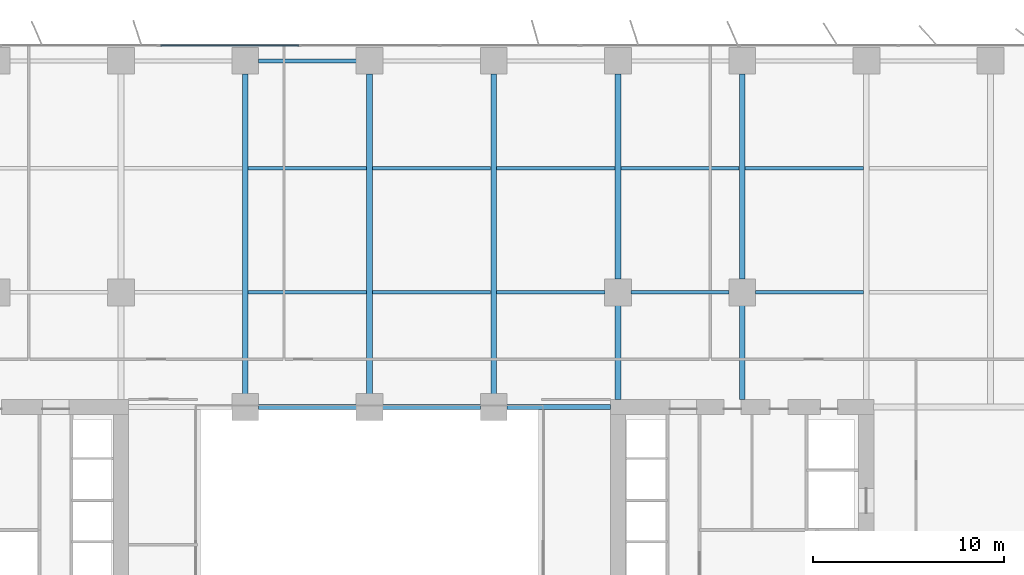
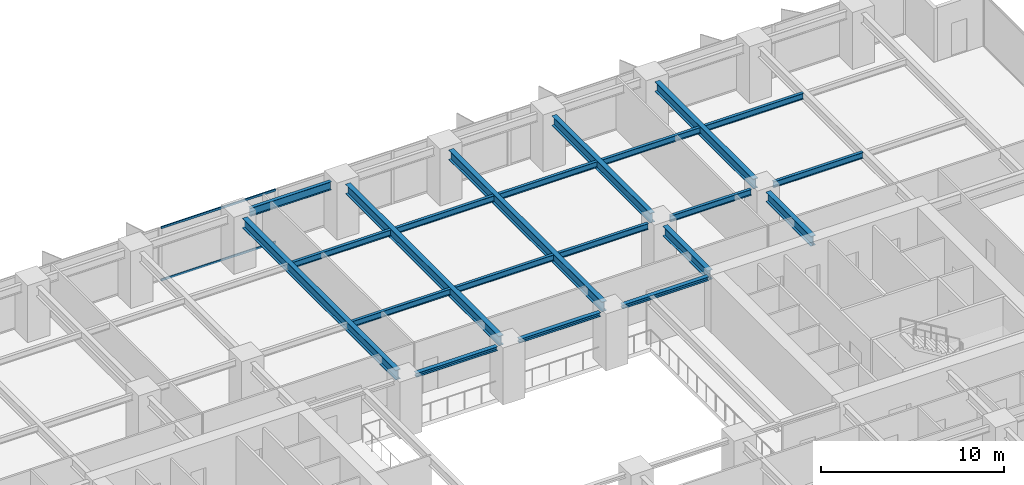
# One storey, part 8 of 20: 21 beams, 2 members, 1 element without a shape of its own.
"""IFC4 building model written with IfcOpenShell, lengths in metres."""

from ifc_helpers import new_model, si_unit, direction, frame, origin, origin_2d, place, context, subcontext, project, spatial, rectangle, i_section, extrude, material, layer, layer_set, material_profile, profile_set, type_object, element, aggregate, save


model = new_model("IFC4")

# Units and contexts
model_context = context("Model", 3, precision=1e-05, world=origin(), true_north=direction((0.0, 1.0)))
body_context = subcontext(model_context, "Body", "Model", "MODEL_VIEW")
ifc_project = project(units=[si_unit("LENGTHUNIT", "METRE"), si_unit("AREAUNIT", "SQUARE_METRE"), si_unit("VOLUMEUNIT", "CUBIC_METRE"), si_unit("PLANEANGLEUNIT", "RADIAN"), si_unit("MASSUNIT", "GRAM", prefix="KILO")], contexts=[model_context])

# Site, building, storey
site_placement = place(None, origin())
site = spatial("IfcSite", under=ifc_project, at=site_placement, CompositionType="ELEMENT")
building_placement = place(site_placement, origin())
building = spatial("IfcBuilding", under=site, at=building_placement, Name="Putna Gate Headquarters", CompositionType="ELEMENT")
storey_placement = place(building_placement, frame((0.0, 0.0, 62.0)))
storey = spatial("IfcBuildingStorey", under=building, at=storey_placement, Name="L14", CompositionType="ELEMENT", Elevation=62.0)

# Beams
ifc_material_1 = material(Name="Steel S355J2", Category="steel")
ifc_material_profile_1 = material_profile(ifc_material_1, i_section(OverallWidth=0.260009765625, OverallDepth=0.260009765625, WebThickness=0.010009765625, FlangeThickness=0.017578125, at=origin_2d()), Name="Steel S355J2")
ifc_profile_set_1 = profile_set([ifc_material_profile_1], Name="Steel S355J2")
beam_type_1 = type_object("IfcBeamType", Name="BM-ATRIUM-HEB260", PredefinedType="BEAM", material=ifc_profile_set_1)
for number, where, z_axis, x_axis, name in (
    (1, (33.18798828125, 33.0, 3.419921875), (1.0, 0.0, 0.0), (0.0, 1.0, 0.0), "L14 Atrium Edge Beam AN2"),
    (2, (39.68798828125, 33.0, 3.419921875), (1.0, 0.0, 0.0), (0.0, 1.0, 0.0), "L14 Atrium Edge Beam AN3"),
):
    element("IfcBeam", number, at=place(storey_placement, frame(where, z_axis=z_axis, x_axis=x_axis)), inside=storey, type_object=beam_type_1, Name=name, PredefinedType="BEAM", context=body_context, shape_type="SweptSolid", body=[
        extrude(i_section(OverallWidth=0.260009765625, OverallDepth=0.260009765625, WebThickness=0.010009765625, FlangeThickness=0.017578125, at=origin_2d()), origin(), (0.0, 0.0, 1.0), 5.1240234375),
    ])
beam_1_placement = place(storey_placement, frame((46.18798828125, 33.0, 3.419921875), z_axis=(1.0, 0.0, 0.0), x_axis=(0.0, 1.0, 0.0)))
element("IfcBeam", 3, at=beam_1_placement, inside=storey, type_object=beam_type_1, Name="L14 Atrium Edge Beam AN4", PredefinedType="BEAM", context=body_context, shape_type="SweptSolid", body=[
    extrude(i_section(OverallWidth=0.260009765625, OverallDepth=0.260009765625, WebThickness=0.010009765625, FlangeThickness=0.017578125, at=origin_2d()), origin(), (0.0, 0.0, 1.0), 5.427001953125),
])
ifc_material_profile_2 = material_profile(ifc_material_1, i_section(OverallWidth=0.300048828125, OverallDepth=0.64990234375, WebThickness=0.01611328125, FlangeThickness=0.031005859375, at=origin_2d()), Name="Steel S355J2")
ifc_profile_set_2 = profile_set([ifc_material_profile_2], Name="Steel S355J2")
beam_type_2 = type_object("IfcBeamType", Name="BM-GIRD-Z1-HEB650", PredefinedType="USERDEFINED", material=ifc_profile_set_2)
for number, where, z_axis, x_axis, name in (
    (4, (32.5, 33.68798828125, 3.22509765625), (0.0, 1.0, 0.0), (-1.0, 0.0, 0.0), "L14 North Primary Girder X32"),
    (5, (39.0, 33.68798828125, 3.22509765625), (0.0, 1.0, 0.0), (-1.0, 0.0, 0.0), "L14 North Primary Girder X39"),
    (6, (45.5, 33.68798828125, 3.22509765625), (0.0, 1.0, 0.0), (-1.0, 0.0, 0.0), "L14 North Primary Girder X45"),
):
    element("IfcBeam", number, at=place(storey_placement, frame(where, z_axis=z_axis, x_axis=x_axis)), inside=storey, type_object=beam_type_2, Name=name, ObjectType="GIRDER", PredefinedType="USERDEFINED", context=body_context, shape_type="SweptSolid", body=[
        extrude(i_section(OverallWidth=0.300048828125, OverallDepth=0.64990234375, WebThickness=0.01611328125, FlangeThickness=0.031005859375, at=origin_2d()), origin(), (0.0, 0.0, 1.0), 16.743896484375),
    ])
beam_2_placement = place(storey_placement, frame((52.0, 33.385009765625, 3.22509765625), z_axis=(0.0, 1.0, 0.0), x_axis=(-1.0, 0.0, 0.0)))
element("IfcBeam", 7, at=beam_2_placement, inside=storey, type_object=beam_type_2, Name="L14 North Primary Girder X52-1", ObjectType="GIRDER", PredefinedType="USERDEFINED", context=body_context, shape_type="SweptSolid", body=[
    extrude(i_section(OverallWidth=0.300048828125, OverallDepth=0.64990234375, WebThickness=0.01611328125, FlangeThickness=0.031005859375, at=origin_2d()), origin(), (0.0, 0.0, 1.0), 4.927001953125),
])
beam_3_placement = place(storey_placement, frame((52.0, 39.68798828125, 3.22509765625), z_axis=(0.0, 1.0, 0.0), x_axis=(-1.0, 0.0, 0.0)))
element("IfcBeam", 8, at=beam_3_placement, inside=storey, type_object=beam_type_2, Name="L14 North Primary Girder X52-2", ObjectType="GIRDER", PredefinedType="USERDEFINED", context=body_context, shape_type="SweptSolid", body=[
    extrude(i_section(OverallWidth=0.300048828125, OverallDepth=0.64990234375, WebThickness=0.01611328125, FlangeThickness=0.031005859375, at=origin_2d()), origin(), (0.0, 0.0, 1.0), 10.743896484375),
])
beam_4_placement = place(storey_placement, frame((58.5, 33.385009765625, 3.22509765625), z_axis=(0.0, 1.0, 0.0), x_axis=(-1.0, 0.0, 0.0)))
element("IfcBeam", 9, at=beam_4_placement, inside=storey, type_object=beam_type_2, Name="L14 North Primary Girder X58-1", ObjectType="GIRDER", PredefinedType="USERDEFINED", context=body_context, shape_type="SweptSolid", body=[
    extrude(i_section(OverallWidth=0.300048828125, OverallDepth=0.64990234375, WebThickness=0.01611328125, FlangeThickness=0.031005859375, at=origin_2d()), origin(), (0.0, 0.0, 1.0), 4.927001953125),
])
beam_5_placement = place(storey_placement, frame((58.5, 39.68798828125, 3.22509765625), z_axis=(0.0, 1.0, 0.0), x_axis=(-1.0, 0.0, 0.0)))
element("IfcBeam", 10, at=beam_5_placement, inside=storey, type_object=beam_type_2, Name="L14 North Primary Girder X58-2", ObjectType="GIRDER", PredefinedType="USERDEFINED", context=body_context, shape_type="SweptSolid", body=[
    extrude(i_section(OverallWidth=0.300048828125, OverallDepth=0.64990234375, WebThickness=0.01611328125, FlangeThickness=0.031005859375, at=origin_2d()), origin(), (0.0, 0.0, 1.0), 10.743896484375),
])
ifc_material_profile_3 = material_profile(ifc_material_1, i_section(OverallWidth=0.179931640625, OverallDepth=0.39990234375, WebThickness=0.008544921875, FlangeThickness=0.013427734375, at=origin_2d()), Name="Steel S355J2")
ifc_profile_set_3 = profile_set([ifc_material_profile_3], Name="Steel S355J2")
beam_type_3 = type_object("IfcBeamType", Name="BM-SEC-Z1-IPE400", PredefinedType="BEAM", material=ifc_profile_set_3)
for number, where, z_axis, x_axis, name in (
    (11, (32.654052734375, 39.0, 3.35009765625), (1.0, 0.0, 0.0), (0.0, 1.0, 0.0), "L14 North Secondary Beam 5"),
    (12, (32.654052734375, 45.5, 3.35009765625), (1.0, 0.0, 0.0), (0.0, 1.0, 0.0), "L14 North Secondary Beam 5"),
    (13, (39.154052734375, 39.0, 3.35009765625), (1.0, 0.0, 0.0), (0.0, 1.0, 0.0), "L14 North Secondary Beam 6"),
    (14, (39.154052734375, 45.5, 3.35009765625), (1.0, 0.0, 0.0), (0.0, 1.0, 0.0), "L14 North Secondary Beam 6"),
):
    element("IfcBeam", number, at=place(storey_placement, frame(where, z_axis=z_axis, x_axis=x_axis)), inside=storey, type_object=beam_type_3, Name=name, PredefinedType="BEAM", context=body_context, shape_type="SweptSolid", body=[
        extrude(i_section(OverallWidth=0.179931640625, OverallDepth=0.39990234375, WebThickness=0.008544921875, FlangeThickness=0.013427734375, at=origin_2d()), origin(), (0.0, 0.0, 1.0), 6.19189453125),
    ])
beam_6_placement = place(storey_placement, frame((45.654052734375, 39.0, 3.35009765625), z_axis=(1.0, 0.0, 0.0), x_axis=(0.0, 1.0, 0.0)))
element("IfcBeam", 15, at=beam_6_placement, inside=storey, type_object=beam_type_3, Name="L14 North Secondary Beam 7", PredefinedType="BEAM", context=body_context, shape_type="SweptSolid", body=[
    extrude(i_section(OverallWidth=0.179931640625, OverallDepth=0.39990234375, WebThickness=0.008544921875, FlangeThickness=0.013427734375, at=origin_2d()), origin(), (0.0, 0.0, 1.0), 5.657958984375),
])
beam_7_placement = place(storey_placement, frame((45.654052734375, 45.5, 3.35009765625), z_axis=(1.0, 0.0, 0.0), x_axis=(0.0, 1.0, 0.0)))
element("IfcBeam", 16, at=beam_7_placement, inside=storey, type_object=beam_type_3, Name="L14 North Secondary Beam 7", PredefinedType="BEAM", context=body_context, shape_type="SweptSolid", body=[
    extrude(i_section(OverallWidth=0.179931640625, OverallDepth=0.39990234375, WebThickness=0.008544921875, FlangeThickness=0.013427734375, at=origin_2d()), origin(), (0.0, 0.0, 1.0), 6.19189453125),
])
beam_8_placement = place(storey_placement, frame((52.68798828125, 39.0, 3.35009765625), z_axis=(1.0, 0.0, 0.0), x_axis=(0.0, 1.0, 0.0)))
element("IfcBeam", 17, at=beam_8_placement, inside=storey, type_object=beam_type_3, Name="L14 North Secondary Beam 8", PredefinedType="BEAM", context=body_context, shape_type="SweptSolid", body=[
    extrude(i_section(OverallWidth=0.179931640625, OverallDepth=0.39990234375, WebThickness=0.008544921875, FlangeThickness=0.013427734375, at=origin_2d()), origin(), (0.0, 0.0, 1.0), 5.1240234375),
])
beam_9_placement = place(storey_placement, frame((52.154052734375, 45.5, 3.35009765625), z_axis=(1.0, 0.0, 0.0), x_axis=(0.0, 1.0, 0.0)))
element("IfcBeam", 18, at=beam_9_placement, inside=storey, type_object=beam_type_3, Name="L14 North Secondary Beam 8", PredefinedType="BEAM", context=body_context, shape_type="SweptSolid", body=[
    extrude(i_section(OverallWidth=0.179931640625, OverallDepth=0.39990234375, WebThickness=0.008544921875, FlangeThickness=0.013427734375, at=origin_2d()), origin(), (0.0, 0.0, 1.0), 6.19189453125),
])
beam_10_placement = place(storey_placement, frame((59.18798828125, 39.0, 3.35009765625), z_axis=(1.0, 0.0, 0.0), x_axis=(0.0, 1.0, 0.0)))
element("IfcBeam", 19, at=beam_10_placement, inside=storey, type_object=beam_type_3, Name="L14 North Secondary Beam 9", PredefinedType="BEAM", context=body_context, shape_type="SweptSolid", body=[
    extrude(i_section(OverallWidth=0.179931640625, OverallDepth=0.39990234375, WebThickness=0.008544921875, FlangeThickness=0.013427734375, at=origin_2d()), origin(), (0.0, 0.0, 1.0), 5.657958984375),
])
beam_11_placement = place(storey_placement, frame((58.654052734375, 45.5, 3.35009765625), z_axis=(1.0, 0.0, 0.0), x_axis=(0.0, 1.0, 0.0)))
element("IfcBeam", 20, at=beam_11_placement, inside=storey, type_object=beam_type_3, Name="L14 North Secondary Beam 9", PredefinedType="BEAM", context=body_context, shape_type="SweptSolid", body=[
    extrude(i_section(OverallWidth=0.179931640625, OverallDepth=0.39990234375, WebThickness=0.008544921875, FlangeThickness=0.013427734375, at=origin_2d()), origin(), (0.0, 0.0, 1.0), 6.19189453125),
])
ifc_material_profile_4 = material_profile(ifc_material_1, i_section(OverallWidth=0.2099609375, OverallDepth=0.550048828125, WebThickness=0.010986328125, FlangeThickness=0.01708984375, at=origin_2d()), Name="Steel S355J2")
ifc_profile_set_4 = profile_set([ifc_material_profile_4], Name="Steel S355J2")
beam_type_4 = type_object("IfcBeamType", Name="BM-SPAN-Z1-IPE550", PredefinedType="SPANDREL", material=ifc_profile_set_4)
beam_12_placement = place(storey_placement, frame((33.18798828125, 51.1201171875, 3.27490234375), z_axis=(1.0, 0.0, 0.0), x_axis=(0.0, 1.0, 0.0)))
element("IfcBeam", 21, at=beam_12_placement, inside=storey, type_object=beam_type_4, Name="L14 N Perimeter Spandrel 5", PredefinedType="SPANDREL", context=body_context, shape_type="SweptSolid", body=[
    extrude(i_section(OverallWidth=0.2099609375, OverallDepth=0.550048828125, WebThickness=0.010986328125, FlangeThickness=0.01708984375, at=origin_2d()), origin(), (0.0, 0.0, 1.0), 5.1240234375),
])

# Curtain wall, members
ifc_material_2 = material(Name="Anodised bronze aluminium curtain wall", Category="aluminium")
ifc_layer = layer(ifc_material_2, 0.179931640625)
ifc_layer_set = layer_set([ifc_layer], Name="Anodised bronze aluminium curtain wall")
curtain_wall_type = type_object("IfcCurtainWallType", Name="CW-SYS-ATR", PredefinedType="USERDEFINED", material=ifc_layer_set)
curtain_wall_placement = place(storey_placement, origin())
curtain_wall = element("IfcCurtainWall", 22, at=curtain_wall_placement, inside=storey, type_object=curtain_wall_type, Name="L14 North Atrium Clear Glazing", ObjectType="ATRIUM GLAZING", PredefinedType="USERDEFINED")
ifc_material_3 = material(Name="Anodised bronze aluminium EN AW-6060", Category="aluminium")
ifc_material_profile_5 = material_profile(ifc_material_3, rectangle(XDim=0.070068359375, YDim=0.139892578125, at=origin_2d()), Name="Anodised bronze aluminium EN AW-6060")
ifc_profile_set_5 = profile_set([ifc_material_profile_5], Name="Anodised bronze aluminium EN AW-6060")
member_type = type_object("IfcMemberType", Name="TRAN-CWT-AT", PredefinedType="USERDEFINED", material=ifc_profile_set_5)
member_1_placement = place(storey_placement, frame((28.070068359375, 51.919921875, 0.034912109375), z_axis=(1.0, 0.0, 0.0), x_axis=(0.0, 1.0, 0.0)))
member_1 = element("IfcMember", 23, at=member_1_placement, type_object=member_type, Name="CWS-AT transom 1.1", ObjectType="TRANSOM", PredefinedType="USERDEFINED", context=body_context, shape_type="SweptSolid", body=[
    extrude(rectangle(XDim=0.070068359375, YDim=0.139892578125, at=origin_2d()), origin(), (0.0, 0.0, 1.0), 7.228271484375),
])
member_2_placement = place(storey_placement, frame((28.070068359375, 51.919921875, 3.514892578125), z_axis=(1.0, 0.0, 0.0), x_axis=(0.0, 1.0, 0.0)))
member_2 = element("IfcMember", 24, at=member_2_placement, type_object=member_type, Name="CWS-AT transom 1.2", ObjectType="TRANSOM", PredefinedType="USERDEFINED", context=body_context, shape_type="SweptSolid", body=[
    extrude(rectangle(XDim=0.070068359375, YDim=0.139892578125, at=origin_2d()), origin(), (0.0, 0.0, 1.0), 7.228271484375),
])
aggregate(curtain_wall, [member_1, member_2])

save(model, "model.ifc")
